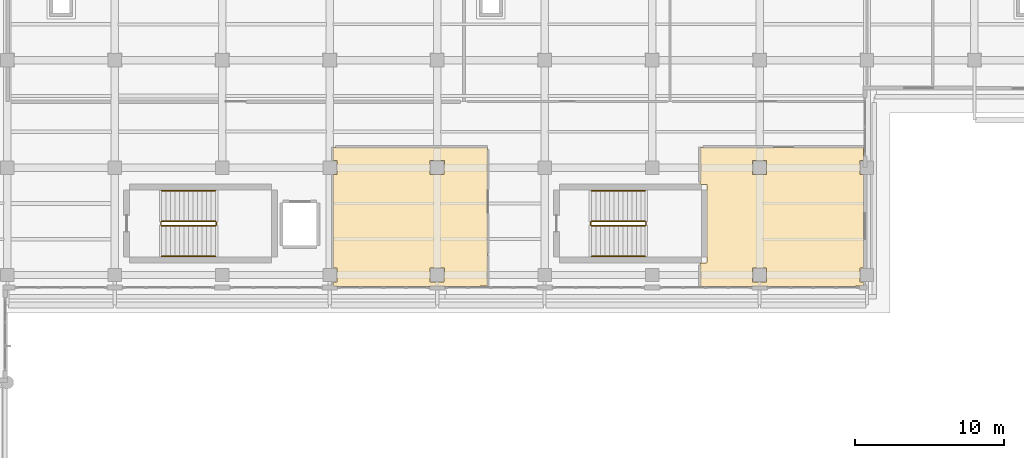
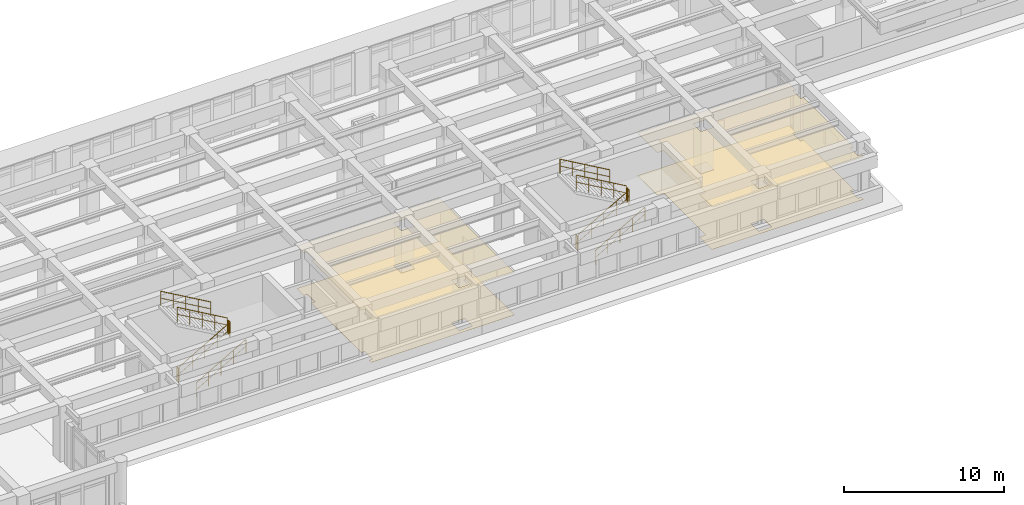
# One storey, part 61 of 69: 12 railings, 4 coverings.
"""IFC4 building model written with IfcOpenShell, lengths in metres."""

from ifc_helpers import new_model, si_unit, direction, frame, origin, origin_2d, place, context, subcontext, project, spatial, polyline, circle, outline, extrude, material, layer, layer_set, type_object, element, save


model = new_model("IFC4")

# Units and contexts
model_context = context("Model", 3, precision=1e-05, world=origin(), true_north=direction((0.0, 1.0)))
body_context = subcontext(model_context, "Body", "Model", "MODEL_VIEW")
ifc_project = project(units=[si_unit("LENGTHUNIT", "METRE"), si_unit("AREAUNIT", "SQUARE_METRE"), si_unit("VOLUMEUNIT", "CUBIC_METRE"), si_unit("PLANEANGLEUNIT", "RADIAN"), si_unit("MASSUNIT", "GRAM", prefix="KILO")], contexts=[model_context])

# Site, building, storey
site_placement = place(None, origin())
site = spatial("IfcSite", under=ifc_project, at=site_placement, CompositionType="ELEMENT")
building_placement = place(site_placement, origin())
building = spatial("IfcBuilding", under=site, at=building_placement, Name="Solenvale Faculty of Natural Sciences", CompositionType="ELEMENT")
storey_placement = place(building_placement, frame((0.0, 0.0, 4.5)))
storey = spatial("IfcBuildingStorey", under=building, at=storey_placement, Name="L01", CompositionType="ELEMENT", Elevation=4.5)

# Coverings
ifc_material_1 = material(Name="Acoustic mineral-timber ceiling", Category="wood")
ifc_layer_1 = layer(ifc_material_1, 0.02490234375)
ifc_layer_set_1 = layer_set([ifc_layer_1], Name="Acoustic mineral-timber ceiling")
covering_type_1 = type_object("IfcCoveringType", Name="COV-CEIL-AC25", PredefinedType="CEILING", material=ifc_layer_set_1)
covering_1_placement = place(storey_placement, frame((0.0, 0.0, 3.235107421875)))
element("IfcCovering", 1, at=covering_1_placement, inside=storey, type_object=covering_type_1, Name="L01 Organic Chemistry Teaching Laboratory Acoustic Ceiling", PredefinedType="CEILING", context=body_context, shape_type="SweptSolid", body=[
    extrude(outline(polyline([(89.72998046875, 30.159912109375), (89.7509765625, 30.15087890625), (89.760009765625, 30.1298828125), (89.760009765625, 23.0), (89.780029296875, 22.950927734375), (89.780029296875, 20.8701171875), (89.76904296875, 20.846923828125), (79.449951171875, 20.840087890625), (79.427001953125, 20.85107421875), (79.427001953125, 21.114013671875), (79.449951171875, 21.125), (79.666015625, 21.125), (79.675048828125, 21.135986328125), (79.675048828125, 22.068115234375), (79.447021484375, 22.074951171875), (79.419921875, 22.10498046875), (79.419921875, 28.294921875), (79.444091796875, 28.323974609375), (79.6640625, 28.324951171875), (79.675048828125, 28.3359375), (79.675048828125, 29.26806640625), (79.447021484375, 29.27490234375), (79.419921875, 29.302001953125), (79.419921875, 30.1298828125), (79.430908203125, 30.153076171875), (89.72998046875, 30.159912109375)]), holes=[polyline([(86.875, 22.06396484375), (86.864013671875, 22.074951171875), (85.927978515625, 22.072021484375), (85.927978515625, 21.1279296875), (86.8720703125, 21.1279296875), (86.875, 22.06396484375)]), polyline([(86.875, 29.263916015625), (86.864013671875, 29.27490234375), (85.927978515625, 29.27197265625), (85.927978515625, 28.327880859375), (86.8720703125, 28.327880859375), (86.875, 29.263916015625)])]), origin(), (0.0, 0.0, 1.0), 0.02490234375),
])
covering_2_placement = place(storey_placement, frame((0.0, 0.0, 3.235107421875)))
element("IfcCovering", 2, at=covering_2_placement, inside=storey, type_object=covering_type_1, Name="L01 Quantitative Analysis Laboratory Acoustic Ceiling", PredefinedType="CEILING", context=body_context, shape_type="SweptSolid", body=[
    extrude(outline(polyline([(104.050048828125, 20.840087890625), (104.029052734375, 20.84912109375), (104.02001953125, 20.8701171875), (104.02099609375, 22.39892578125), (104.047119140625, 22.419921875), (104.4541015625, 22.419921875), (104.47998046875, 22.447998046875), (104.47998046875, 27.64990234375), (104.4541015625, 27.679931640625), (104.047119140625, 27.679931640625), (104.02099609375, 27.7041015625), (104.02001953125, 30.1298828125), (104.031005859375, 30.153076171875), (114.929931640625, 30.159912109375), (114.952880859375, 30.14892578125), (114.958984375, 29.2958984375), (114.93310546875, 29.27490234375), (114.73388671875, 29.27490234375), (114.72509765625, 29.263916015625), (114.72509765625, 28.3330078125), (114.93603515625, 28.323974609375), (114.9599609375, 28.294921875), (114.9599609375, 22.10498046875), (114.93603515625, 22.075927734375), (114.72509765625, 22.06689453125), (114.72509765625, 21.135986328125), (114.73388671875, 21.125), (114.93310546875, 21.125), (114.952880859375, 21.114013671875), (114.9599609375, 20.8701171875), (114.948974609375, 20.846923828125), (104.050048828125, 20.840087890625)]), holes=[polyline([(107.535888671875, 29.27490234375), (107.52490234375, 29.263916015625), (107.528076171875, 28.327880859375), (108.471923828125, 28.327880859375), (108.471923828125, 29.27197265625), (107.535888671875, 29.27490234375)]), polyline([(108.47509765625, 22.06396484375), (108.464111328125, 22.074951171875), (107.528076171875, 22.072021484375), (107.528076171875, 21.1279296875), (108.471923828125, 21.1279296875), (108.47509765625, 22.06396484375)])]), origin(), (0.0, 0.0, 1.0), 0.02490234375),
])
ifc_material_2 = material(Name="Seamless laboratory vinyl flooring")
ifc_layer_2 = layer(ifc_material_2, 0.008056640625)
ifc_layer_set_2 = layer_set([ifc_layer_2], Name="Seamless laboratory vinyl flooring")
covering_type_2 = type_object("IfcCoveringType", Name="COV-FLR-VNL08", PredefinedType="FLOORING", material=ifc_layer_set_2)
covering_3_placement = place(storey_placement, origin())
element("IfcCovering", 3, at=covering_3_placement, inside=storey, type_object=covering_type_2, Name="L01 Organic Chemistry Teaching Laboratory Floor Finish", PredefinedType="FLOORING", context=body_context, shape_type="SweptSolid", body=[
    extrude(outline(polyline([(89.72998046875, 30.159912109375), (89.7509765625, 30.15087890625), (89.760009765625, 30.1298828125), (89.760009765625, 23.0), (89.780029296875, 22.950927734375), (89.780029296875, 20.8701171875), (89.76904296875, 20.846923828125), (79.449951171875, 20.840087890625), (79.427001953125, 20.85107421875), (79.427001953125, 21.114013671875), (79.449951171875, 21.125), (79.666015625, 21.125), (79.675048828125, 21.135986328125), (79.675048828125, 22.068115234375), (79.447021484375, 22.074951171875), (79.419921875, 22.10498046875), (79.419921875, 28.294921875), (79.444091796875, 28.323974609375), (79.6640625, 28.324951171875), (79.675048828125, 28.3359375), (79.675048828125, 29.26806640625), (79.447021484375, 29.27490234375), (79.419921875, 29.302001953125), (79.419921875, 30.1298828125), (79.430908203125, 30.153076171875), (89.72998046875, 30.159912109375)]), holes=[polyline([(86.875, 22.06396484375), (86.864013671875, 22.074951171875), (85.927978515625, 22.072021484375), (85.927978515625, 21.1279296875), (86.8720703125, 21.1279296875), (86.875, 22.06396484375)]), polyline([(86.875, 29.263916015625), (86.864013671875, 29.27490234375), (85.927978515625, 29.27197265625), (85.927978515625, 28.327880859375), (86.8720703125, 28.327880859375), (86.875, 29.263916015625)])]), origin(), (0.0, 0.0, 1.0), 0.008056640625),
])
covering_4_placement = place(storey_placement, origin())
element("IfcCovering", 4, at=covering_4_placement, inside=storey, type_object=covering_type_2, Name="L01 Quantitative Analysis Laboratory Floor Finish", PredefinedType="FLOORING", context=body_context, shape_type="SweptSolid", body=[
    extrude(outline(polyline([(104.050048828125, 20.840087890625), (104.029052734375, 20.84912109375), (104.02001953125, 20.8701171875), (104.02099609375, 22.39892578125), (104.047119140625, 22.419921875), (104.4541015625, 22.419921875), (104.47998046875, 22.447998046875), (104.47998046875, 27.64990234375), (104.4541015625, 27.679931640625), (104.047119140625, 27.679931640625), (104.02099609375, 27.7041015625), (104.02001953125, 30.1298828125), (104.031005859375, 30.153076171875), (114.929931640625, 30.159912109375), (114.952880859375, 30.14892578125), (114.958984375, 29.2958984375), (114.93310546875, 29.27490234375), (114.73388671875, 29.27490234375), (114.72509765625, 29.263916015625), (114.72509765625, 28.3330078125), (114.93603515625, 28.323974609375), (114.9599609375, 28.294921875), (114.9599609375, 22.10498046875), (114.93603515625, 22.075927734375), (114.72509765625, 22.06689453125), (114.72509765625, 21.135986328125), (114.73388671875, 21.125), (114.93310546875, 21.125), (114.952880859375, 21.114013671875), (114.9599609375, 20.8701171875), (114.948974609375, 20.846923828125), (104.050048828125, 20.840087890625)]), holes=[polyline([(107.535888671875, 29.27490234375), (107.52490234375, 29.263916015625), (107.528076171875, 28.327880859375), (108.471923828125, 28.327880859375), (108.471923828125, 29.27197265625), (107.535888671875, 29.27490234375)]), polyline([(108.47509765625, 22.06396484375), (108.464111328125, 22.074951171875), (107.528076171875, 22.072021484375), (107.528076171875, 21.1279296875), (108.471923828125, 21.1279296875), (108.47509765625, 22.06396484375)])]), origin(), (0.0, 0.0, 1.0), 0.008056640625),
])

# Railings
ifc_material_3 = material(Name="Stainless steel Grade 304", Category="steel")
railing_type_1 = type_object("IfcRailingType", Name="RL-GRD-1100", PredefinedType="GUARDRAIL", material=ifc_material_3)
railing_1_placement = place(storey_placement, frame((67.93994140625, 24.89990234375, 0.173095703125)))
element("IfcRailing", 5, at=railing_1_placement, inside=storey, type_object=railing_type_1, Name="L01 ST-03 stair guard 1", PredefinedType="GUARDRAIL", context=body_context, shape_type="SweptSolid", body=[
    extrude(circle(Radius=0.02392578125, at=origin_2d()), frame((0.0, 0.0, 1.09619140625), z_axis=(0.866193409371, 0.0, 0.499708892819), x_axis=(0.0, 1.0, 0.0)), (0.0, 0.0, 1.0), 4.15625),
    extrude(circle(Radius=0.01611328125, at=origin_2d()), frame((0.0, 0.0, 0.56005859375), z_axis=(0.866193409371, 0.0, 0.499708892819), x_axis=(0.0, 1.0, 0.0)), (0.0, 0.0, 1.0), 4.15625),
    extrude(circle(Radius=0.02099609375, at=origin_2d()), origin(), (0.0, 0.0, 1.0), 1.072021484375),
    extrude(circle(Radius=0.02099609375, at=origin_2d()), frame((0.89990234375, 0.0, 0.519287109375)), (0.0, 0.0, 1.0), 1.072021484375),
    extrude(circle(Radius=0.02099609375, at=origin_2d()), frame((1.800048828125, 0.0, 1.03857421875)), (0.0, 0.0, 1.0), 1.072021484375),
    extrude(circle(Radius=0.02099609375, at=origin_2d()), frame((2.7001953125, 0.0, 1.5576171875)), (0.0, 0.0, 1.0), 1.072021484375),
    extrude(circle(Radius=0.02099609375, at=origin_2d()), frame((3.60009765625, 0.0, 2.076904296875)), (0.0, 0.0, 1.0), 1.072021484375),
])
railing_2_placement = place(storey_placement, frame((71.590087890625, 24.949951171875, 2.25)))
element("IfcRailing", 6, at=railing_2_placement, inside=storey, type_object=railing_type_1, Name="L01 ST-03 stair guard 2", PredefinedType="GUARDRAIL", context=body_context, shape_type="SweptSolid", body=[
    extrude(circle(Radius=0.02392578125, at=origin_2d()), frame((0.0, 0.0, 1.09619140625), z_axis=(0.0, 1.0, 0.0), x_axis=(-1.0, 0.0, 0.0)), (0.0, 0.0, 1.0), 0.199951171875),
    extrude(circle(Radius=0.01611328125, at=origin_2d()), frame((0.0, 0.0, 0.56005859375), z_axis=(0.0, 1.0, 0.0), x_axis=(-1.0, 0.0, 0.0)), (0.0, 0.0, 1.0), 0.199951171875),
    extrude(circle(Radius=0.02099609375, at=origin_2d()), origin(), (0.0, 0.0, 1.0), 1.072021484375),
    extrude(circle(Radius=0.02099609375, at=origin_2d()), frame((0.0, 0.199951171875, 0.0)), (0.0, 0.0, 1.0), 1.072021484375),
])
railing_3_placement = place(storey_placement, frame((71.5400390625, 25.199951171875, 2.423095703125)))
element("IfcRailing", 7, at=railing_3_placement, inside=storey, type_object=railing_type_1, Name="L01 ST-03 stair guard 3", PredefinedType="GUARDRAIL", context=body_context, shape_type="SweptSolid", body=[
    extrude(circle(Radius=0.02392578125, at=origin_2d()), frame((0.0, 0.0, 1.09619140625), z_axis=(-0.866193409371, 0.0, 0.499708892819), x_axis=(0.0, -1.0, 0.0)), (0.0, 0.0, 1.0), 4.15625),
    extrude(circle(Radius=0.01611328125, at=origin_2d()), frame((0.0, 0.0, 0.56005859375), z_axis=(-0.866193409371, 0.0, 0.499708892819), x_axis=(0.0, -1.0, 0.0)), (0.0, 0.0, 1.0), 4.15625),
    extrude(circle(Radius=0.02099609375, at=origin_2d()), origin(), (0.0, 0.0, 1.0), 1.072021484375),
    extrude(circle(Radius=0.02099609375, at=origin_2d()), frame((-0.89990234375, 0.0, 0.519287109375)), (0.0, 0.0, 1.0), 1.072021484375),
    extrude(circle(Radius=0.02099609375, at=origin_2d()), frame((-1.800048828125, 0.0, 1.03857421875)), (0.0, 0.0, 1.0), 1.072021484375),
    extrude(circle(Radius=0.02099609375, at=origin_2d()), frame((-2.7001953125, 0.0, 1.5576171875)), (0.0, 0.0, 1.0), 1.072021484375),
    extrude(circle(Radius=0.02099609375, at=origin_2d()), frame((-3.60009765625, 0.0, 2.076904296875)), (0.0, 0.0, 1.0), 1.072021484375),
])
railing_4_placement = place(storey_placement, frame((67.889892578125, 24.949951171875, 0.0)))
element("IfcRailing", 8, at=railing_4_placement, inside=storey, type_object=railing_type_1, Name="L01 ST-03 stair guard 4", PredefinedType="GUARDRAIL", context=body_context, shape_type="SweptSolid", body=[
    extrude(circle(Radius=0.02392578125, at=origin_2d()), frame((0.0, 0.0, 1.09619140625), z_axis=(0.0, 1.0, 0.0), x_axis=(-1.0, 0.0, 0.0)), (0.0, 0.0, 1.0), 0.199951171875),
    extrude(circle(Radius=0.01611328125, at=origin_2d()), frame((0.0, 0.0, 0.56005859375), z_axis=(0.0, 1.0, 0.0), x_axis=(-1.0, 0.0, 0.0)), (0.0, 0.0, 1.0), 0.199951171875),
    extrude(circle(Radius=0.02099609375, at=origin_2d()), origin(), (0.0, 0.0, 1.0), 1.072021484375),
    extrude(circle(Radius=0.02099609375, at=origin_2d()), frame((0.0, 0.199951171875, 0.0)), (0.0, 0.0, 1.0), 1.072021484375),
])
railing_5_placement = place(storey_placement, frame((96.739990234375, 24.89990234375, 0.173095703125)))
element("IfcRailing", 9, at=railing_5_placement, inside=storey, type_object=railing_type_1, Name="L01 ST-07 stair guard 1", PredefinedType="GUARDRAIL", context=body_context, shape_type="SweptSolid", body=[
    extrude(circle(Radius=0.02392578125, at=origin_2d()), frame((0.0, 0.0, 1.09619140625), z_axis=(0.866193409371, 0.0, 0.499708892819), x_axis=(0.0, 1.0, 0.0)), (0.0, 0.0, 1.0), 4.15625),
    extrude(circle(Radius=0.01611328125, at=origin_2d()), frame((0.0, 0.0, 0.56005859375), z_axis=(0.866193409371, 0.0, 0.499708892819), x_axis=(0.0, 1.0, 0.0)), (0.0, 0.0, 1.0), 4.15625),
    extrude(circle(Radius=0.02099609375, at=origin_2d()), origin(), (0.0, 0.0, 1.0), 1.072021484375),
    extrude(circle(Radius=0.02099609375, at=origin_2d()), frame((0.89990234375, 0.0, 0.519287109375)), (0.0, 0.0, 1.0), 1.072021484375),
    extrude(circle(Radius=0.02099609375, at=origin_2d()), frame((1.800048828125, 0.0, 1.03857421875)), (0.0, 0.0, 1.0), 1.072021484375),
    extrude(circle(Radius=0.02099609375, at=origin_2d()), frame((2.7001953125, 0.0, 1.5576171875)), (0.0, 0.0, 1.0), 1.072021484375),
    extrude(circle(Radius=0.02099609375, at=origin_2d()), frame((3.60009765625, 0.0, 2.076904296875)), (0.0, 0.0, 1.0), 1.072021484375),
])
railing_6_placement = place(storey_placement, frame((100.389892578125, 24.949951171875, 2.25)))
element("IfcRailing", 10, at=railing_6_placement, inside=storey, type_object=railing_type_1, Name="L01 ST-07 stair guard 2", PredefinedType="GUARDRAIL", context=body_context, shape_type="SweptSolid", body=[
    extrude(circle(Radius=0.02392578125, at=origin_2d()), frame((0.0, 0.0, 1.09619140625), z_axis=(0.0, 1.0, 0.0), x_axis=(-1.0, 0.0, 0.0)), (0.0, 0.0, 1.0), 0.199951171875),
    extrude(circle(Radius=0.01611328125, at=origin_2d()), frame((0.0, 0.0, 0.56005859375), z_axis=(0.0, 1.0, 0.0), x_axis=(-1.0, 0.0, 0.0)), (0.0, 0.0, 1.0), 0.199951171875),
    extrude(circle(Radius=0.02099609375, at=origin_2d()), origin(), (0.0, 0.0, 1.0), 1.072021484375),
    extrude(circle(Radius=0.02099609375, at=origin_2d()), frame((0.0, 0.199951171875, 0.0)), (0.0, 0.0, 1.0), 1.072021484375),
])
railing_7_placement = place(storey_placement, frame((100.340087890625, 25.199951171875, 2.423095703125)))
element("IfcRailing", 11, at=railing_7_placement, inside=storey, type_object=railing_type_1, Name="L01 ST-07 stair guard 3", PredefinedType="GUARDRAIL", context=body_context, shape_type="SweptSolid", body=[
    extrude(circle(Radius=0.02392578125, at=origin_2d()), frame((0.0, 0.0, 1.09619140625), z_axis=(-0.866193409371, 0.0, 0.499708892819), x_axis=(0.0, -1.0, 0.0)), (0.0, 0.0, 1.0), 4.15625),
    extrude(circle(Radius=0.01611328125, at=origin_2d()), frame((0.0, 0.0, 0.56005859375), z_axis=(-0.866193409371, 0.0, 0.499708892819), x_axis=(0.0, -1.0, 0.0)), (0.0, 0.0, 1.0), 4.15625),
    extrude(circle(Radius=0.02099609375, at=origin_2d()), origin(), (0.0, 0.0, 1.0), 1.072021484375),
    extrude(circle(Radius=0.02099609375, at=origin_2d()), frame((-0.89990234375, 0.0, 0.519287109375)), (0.0, 0.0, 1.0), 1.072021484375),
    extrude(circle(Radius=0.02099609375, at=origin_2d()), frame((-1.800048828125, 0.0, 1.03857421875)), (0.0, 0.0, 1.0), 1.072021484375),
    extrude(circle(Radius=0.02099609375, at=origin_2d()), frame((-2.7001953125, 0.0, 1.5576171875)), (0.0, 0.0, 1.0), 1.072021484375),
    extrude(circle(Radius=0.02099609375, at=origin_2d()), frame((-3.60009765625, 0.0, 2.076904296875)), (0.0, 0.0, 1.0), 1.072021484375),
])
railing_8_placement = place(storey_placement, frame((96.68994140625, 24.949951171875, 0.0)))
element("IfcRailing", 12, at=railing_8_placement, inside=storey, type_object=railing_type_1, Name="L01 ST-07 stair guard 4", PredefinedType="GUARDRAIL", context=body_context, shape_type="SweptSolid", body=[
    extrude(circle(Radius=0.02392578125, at=origin_2d()), frame((0.0, 0.0, 1.09619140625), z_axis=(0.0, 1.0, 0.0), x_axis=(-1.0, 0.0, 0.0)), (0.0, 0.0, 1.0), 0.199951171875),
    extrude(circle(Radius=0.01611328125, at=origin_2d()), frame((0.0, 0.0, 0.56005859375), z_axis=(0.0, 1.0, 0.0), x_axis=(-1.0, 0.0, 0.0)), (0.0, 0.0, 1.0), 0.199951171875),
    extrude(circle(Radius=0.02099609375, at=origin_2d()), origin(), (0.0, 0.0, 1.0), 1.072021484375),
    extrude(circle(Radius=0.02099609375, at=origin_2d()), frame((0.0, 0.199951171875, 0.0)), (0.0, 0.0, 1.0), 1.072021484375),
])
railing_type_2 = type_object("IfcRailingType", Name="RL-HND-900", PredefinedType="HANDRAIL", material=ifc_material_3)
railing_9_placement = place(storey_placement, frame((67.93994140625, 22.85009765625, 0.173095703125)))
element("IfcRailing", 13, at=railing_9_placement, inside=storey, type_object=railing_type_2, Name="L01 ST-03 stair handrail 1", PredefinedType="HANDRAIL", context=body_context, shape_type="SweptSolid", body=[
    extrude(circle(Radius=0.02392578125, at=origin_2d()), frame((0.0, 0.0, 1.0732421875), z_axis=(0.866193409371, 0.0, 0.499708892819), x_axis=(0.0, 1.0, 0.0)), (0.0, 0.0, 1.0), 4.15625),
    extrude(circle(Radius=0.01611328125, at=origin_2d()), frame((0.0, 0.0, 0.548583984375), z_axis=(0.866193409371, 0.0, 0.499708892819), x_axis=(0.0, 1.0, 0.0)), (0.0, 0.0, 1.0), 4.15625),
    extrude(circle(Radius=0.02099609375, at=origin_2d()), origin(), (0.0, 0.0, 1.0), 1.049072265625),
    extrude(circle(Radius=0.02099609375, at=origin_2d()), frame((0.89990234375, 0.0, 0.519287109375)), (0.0, 0.0, 1.0), 1.049072265625),
    extrude(circle(Radius=0.02099609375, at=origin_2d()), frame((1.800048828125, 0.0, 1.03857421875)), (0.0, 0.0, 1.0), 1.049072265625),
    extrude(circle(Radius=0.02099609375, at=origin_2d()), frame((2.7001953125, 0.0, 1.5576171875)), (0.0, 0.0, 1.0), 1.049072265625),
    extrude(circle(Radius=0.02099609375, at=origin_2d()), frame((3.60009765625, 0.0, 2.076904296875)), (0.0, 0.0, 1.0), 1.049072265625),
])
railing_10_placement = place(storey_placement, frame((71.5400390625, 27.25, 2.423095703125)))
element("IfcRailing", 14, at=railing_10_placement, inside=storey, type_object=railing_type_2, Name="L01 ST-03 stair handrail 2", PredefinedType="HANDRAIL", context=body_context, shape_type="SweptSolid", body=[
    extrude(circle(Radius=0.02392578125, at=origin_2d()), frame((0.0, 0.0, 1.0732421875), z_axis=(-0.866193409371, 0.0, 0.499708892819), x_axis=(0.0, -1.0, 0.0)), (0.0, 0.0, 1.0), 4.15625),
    extrude(circle(Radius=0.01611328125, at=origin_2d()), frame((0.0, 0.0, 0.548583984375), z_axis=(-0.866193409371, 0.0, 0.499708892819), x_axis=(0.0, -1.0, 0.0)), (0.0, 0.0, 1.0), 4.15625),
    extrude(circle(Radius=0.02099609375, at=origin_2d()), origin(), (0.0, 0.0, 1.0), 1.049072265625),
    extrude(circle(Radius=0.02099609375, at=origin_2d()), frame((-0.89990234375, 0.0, 0.519287109375)), (0.0, 0.0, 1.0), 1.049072265625),
    extrude(circle(Radius=0.02099609375, at=origin_2d()), frame((-1.800048828125, 0.0, 1.03857421875)), (0.0, 0.0, 1.0), 1.049072265625),
    extrude(circle(Radius=0.02099609375, at=origin_2d()), frame((-2.7001953125, 0.0, 1.5576171875)), (0.0, 0.0, 1.0), 1.049072265625),
    extrude(circle(Radius=0.02099609375, at=origin_2d()), frame((-3.60009765625, 0.0, 2.076904296875)), (0.0, 0.0, 1.0), 1.049072265625),
])
railing_11_placement = place(storey_placement, frame((96.739990234375, 22.85009765625, 0.173095703125)))
element("IfcRailing", 15, at=railing_11_placement, inside=storey, type_object=railing_type_2, Name="L01 ST-07 stair handrail 1", PredefinedType="HANDRAIL", context=body_context, shape_type="SweptSolid", body=[
    extrude(circle(Radius=0.02392578125, at=origin_2d()), frame((0.0, 0.0, 1.0732421875), z_axis=(0.866193409371, 0.0, 0.499708892819), x_axis=(0.0, 1.0, 0.0)), (0.0, 0.0, 1.0), 4.15625),
    extrude(circle(Radius=0.01611328125, at=origin_2d()), frame((0.0, 0.0, 0.548583984375), z_axis=(0.866193409371, 0.0, 0.499708892819), x_axis=(0.0, 1.0, 0.0)), (0.0, 0.0, 1.0), 4.15625),
    extrude(circle(Radius=0.02099609375, at=origin_2d()), origin(), (0.0, 0.0, 1.0), 1.049072265625),
    extrude(circle(Radius=0.02099609375, at=origin_2d()), frame((0.89990234375, 0.0, 0.519287109375)), (0.0, 0.0, 1.0), 1.049072265625),
    extrude(circle(Radius=0.02099609375, at=origin_2d()), frame((1.800048828125, 0.0, 1.03857421875)), (0.0, 0.0, 1.0), 1.049072265625),
    extrude(circle(Radius=0.02099609375, at=origin_2d()), frame((2.7001953125, 0.0, 1.5576171875)), (0.0, 0.0, 1.0), 1.049072265625),
    extrude(circle(Radius=0.02099609375, at=origin_2d()), frame((3.60009765625, 0.0, 2.076904296875)), (0.0, 0.0, 1.0), 1.049072265625),
])
railing_12_placement = place(storey_placement, frame((100.340087890625, 27.25, 2.423095703125)))
element("IfcRailing", 16, at=railing_12_placement, inside=storey, type_object=railing_type_2, Name="L01 ST-07 stair handrail 2", PredefinedType="HANDRAIL", context=body_context, shape_type="SweptSolid", body=[
    extrude(circle(Radius=0.02392578125, at=origin_2d()), frame((0.0, 0.0, 1.0732421875), z_axis=(-0.866193409371, 0.0, 0.499708892819), x_axis=(0.0, -1.0, 0.0)), (0.0, 0.0, 1.0), 4.15625),
    extrude(circle(Radius=0.01611328125, at=origin_2d()), frame((0.0, 0.0, 0.548583984375), z_axis=(-0.866193409371, 0.0, 0.499708892819), x_axis=(0.0, -1.0, 0.0)), (0.0, 0.0, 1.0), 4.15625),
    extrude(circle(Radius=0.02099609375, at=origin_2d()), origin(), (0.0, 0.0, 1.0), 1.049072265625),
    extrude(circle(Radius=0.02099609375, at=origin_2d()), frame((-0.89990234375, 0.0, 0.519287109375)), (0.0, 0.0, 1.0), 1.049072265625),
    extrude(circle(Radius=0.02099609375, at=origin_2d()), frame((-1.800048828125, 0.0, 1.03857421875)), (0.0, 0.0, 1.0), 1.049072265625),
    extrude(circle(Radius=0.02099609375, at=origin_2d()), frame((-2.7001953125, 0.0, 1.5576171875)), (0.0, 0.0, 1.0), 1.049072265625),
    extrude(circle(Radius=0.02099609375, at=origin_2d()), frame((-3.60009765625, 0.0, 2.076904296875)), (0.0, 0.0, 1.0), 1.049072265625),
])

save(model, "model.ifc")
